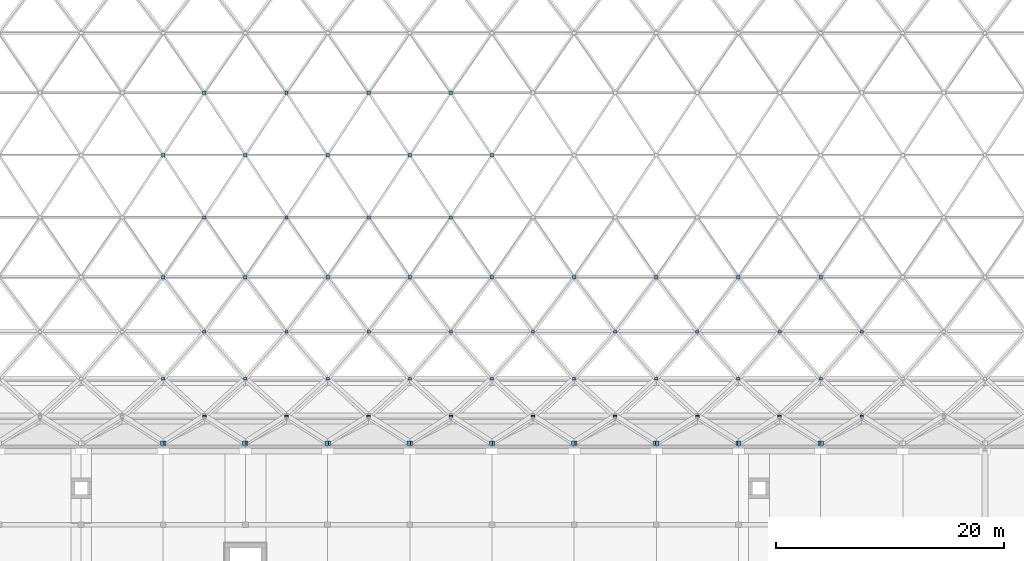
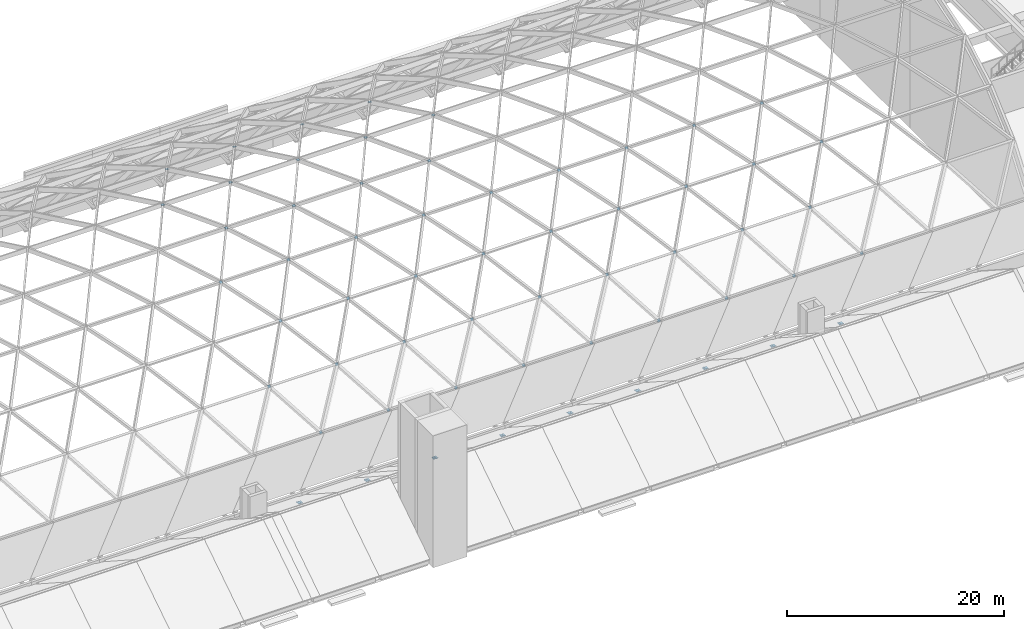
# One storey, part 43 of 52: 67 discrete accessories.
"""IFC4 building model written with IfcOpenShell, lengths in metres."""

from ifc_helpers import new_model, si_unit, direction, frame, origin, origin_2d, place, context, subcontext, project, spatial, rectangle, extrude, material, layer, layer_set, material_profile, profile_set, type_object, element, save


model = new_model("IFC4")

# Units and contexts
model_context = context("Model", 3, precision=1e-05, world=origin(), true_north=direction((0.0, 1.0)))
body_context = subcontext(model_context, "Body", "Model", "MODEL_VIEW")
ifc_project = project(units=[si_unit("LENGTHUNIT", "METRE"), si_unit("AREAUNIT", "SQUARE_METRE"), si_unit("VOLUMEUNIT", "CUBIC_METRE"), si_unit("PLANEANGLEUNIT", "RADIAN"), si_unit("MASSUNIT", "GRAM", prefix="KILO")], contexts=[model_context])

# Site, building, storey
site_placement = place(None, origin())
site = spatial("IfcSite", under=ifc_project, at=site_placement, CompositionType="ELEMENT")
building_placement = place(site_placement, origin())
building = spatial("IfcBuilding", under=site, at=building_placement, Name="Vermilion Court Aquatics Centre", CompositionType="ELEMENT")
storey_placement = place(building_placement, frame((0.0, 0.0, 12.0)))
storey = spatial("IfcBuildingStorey", under=building, at=storey_placement, Name="L02", CompositionType="ELEMENT", Elevation=12.0)

# Discrete accessories
ifc_material_1 = material(Name="Stainless steel 1.4547, 1.4529 or 1.4565", Category="steel")
ifc_material_profile = material_profile(ifc_material_1, rectangle(XDim=0.300048828125, YDim=0.300048828125, at=origin_2d()), Name="PL 12 x 300 x 300")
ifc_profile_set = profile_set([ifc_material_profile], Name="Stainless steel 1.4547, 1.4529 or 1.4565")
discrete_accessory_type_1 = type_object("IfcDiscreteAccessoryType", Name="Gridshell node plate", PredefinedType="BRACKET", material=ifc_profile_set)
for number, where, z_axis, x_axis, name in (
    (1, (68.39990234375, 16.715087890625, 5.23583984375), (0.0, -0.850265146688, 0.526354614616), (1.0, 0.0, 0.0), "Gridshell node plate NP1 01-08"),
    (2, (75.60009765625, 16.715087890625, 5.23583984375), (0.0, -0.850265146688, 0.526354614616), (1.0, 0.0, 0.0), "Gridshell node plate NP1 01-09"),
    (3, (82.800048828125, 16.715087890625, 5.23583984375), (0.0, -0.850265146688, 0.526354614616), (1.0, 0.0, 0.0), "Gridshell node plate NP1 01-10"),
    (4, (90.0, 16.715087890625, 5.23583984375), (0.0, -0.850265146688, 0.526354614616), (1.0, 0.0, 0.0), "Gridshell node plate NP1 01-11"),
    (5, (97.199951171875, 16.715087890625, 5.23583984375), (0.0, -0.850265146688, 0.526354614616), (1.0, 0.0, 0.0), "Gridshell node plate NP1 01-12"),
    (6, (104.39990234375, 16.715087890625, 5.23583984375), (0.0, -0.850265146688, 0.526354614616), (1.0, 0.0, 0.0), "Gridshell node plate NP1 01-13"),
    (7, (111.60009765625, 16.715087890625, 5.23583984375), (0.0, -0.850265146688, 0.526354614616), (1.0, 0.0, 0.0), "Gridshell node plate NP1 01-14"),
    (8, (118.800048828125, 16.715087890625, 5.23583984375), (0.0, -0.850265146688, 0.526354614616), (1.0, 0.0, 0.0), "Gridshell node plate NP1 01-15"),
    (9, (126.0, 16.715087890625, 5.23583984375), (0.0, -0.850265146688, 0.526354614616), (1.0, 0.0, 0.0), "Gridshell node plate NP1 01-16"),
    (10, (64.800048828125, 20.00439453125, 9.64794921875), (0.0, -0.737154140201, 0.675724628517), (1.0, 0.0, 0.0), "Gridshell node plate NP1 02-07"),
    (11, (72.0, 20.00439453125, 9.64794921875), (0.0, -0.737154140201, 0.675724628517), (1.0, 0.0, 0.0), "Gridshell node plate NP1 02-08"),
    (12, (79.199951171875, 20.00439453125, 9.64794921875), (0.0, -0.737154140201, 0.675724628517), (1.0, 0.0, 0.0), "Gridshell node plate NP1 02-09"),
    (13, (86.39990234375, 20.00439453125, 9.64794921875), (0.0, -0.737154140201, 0.675724628517), (1.0, 0.0, 0.0), "Gridshell node plate NP1 02-10"),
    (14, (93.60009765625, 20.00439453125, 9.64794921875), (0.0, -0.737154140201, 0.675724628517), (1.0, 0.0, 0.0), "Gridshell node plate NP1 02-11"),
    (15, (100.800048828125, 20.00439453125, 9.64794921875), (0.0, -0.737154140201, 0.675724628517), (1.0, 0.0, 0.0), "Gridshell node plate NP1 02-12"),
    (16, (108.0, 20.00439453125, 9.64794921875), (0.0, -0.737154140201, 0.675724628517), (1.0, 0.0, 0.0), "Gridshell node plate NP1 02-13"),
    (17, (115.199951171875, 20.00439453125, 9.64794921875), (0.0, -0.737154140201, 0.675724628517), (1.0, 0.0, 0.0), "Gridshell node plate NP1 02-14"),
    (18, (122.39990234375, 20.00439453125, 9.64794921875), (0.0, -0.737154140201, 0.675724628517), (1.0, 0.0, 0.0), "Gridshell node plate NP1 02-15"),
    (19, (68.39990234375, 24.12353515625, 13.2861328125), (0.0, -0.586967571461, 0.809610443394), (1.0, 0.0, 0.0), "Gridshell node plate NP1 03-08"),
    (20, (75.60009765625, 24.12353515625, 13.2861328125), (0.0, -0.586967571461, 0.809610443394), (1.0, 0.0, 0.0), "Gridshell node plate NP1 03-09"),
    (21, (82.800048828125, 24.12353515625, 13.2861328125), (0.0, -0.586967571461, 0.809610443394), (1.0, 0.0, 0.0), "Gridshell node plate NP1 03-10"),
    (22, (90.0, 24.12353515625, 13.2861328125), (0.0, -0.586967571461, 0.809610443394), (1.0, 0.0, 0.0), "Gridshell node plate NP1 03-11"),
    (23, (97.199951171875, 24.12353515625, 13.2861328125), (0.0, -0.586967571461, 0.809610443394), (1.0, 0.0, 0.0), "Gridshell node plate NP1 03-12"),
    (24, (104.39990234375, 24.12353515625, 13.2861328125), (0.0, -0.586967571461, 0.809610443394), (1.0, 0.0, 0.0), "Gridshell node plate NP1 03-13"),
    (25, (111.60009765625, 24.12353515625, 13.2861328125), (0.0, -0.586967571461, 0.809610443394), (1.0, 0.0, 0.0), "Gridshell node plate NP1 03-14"),
    (26, (118.800048828125, 24.12353515625, 13.2861328125), (0.0, -0.586967571461, 0.809610443394), (1.0, 0.0, 0.0), "Gridshell node plate NP1 03-15"),
    (27, (126.0, 24.12353515625, 13.2861328125), (0.0, -0.586967571461, 0.809610443394), (1.0, 0.0, 0.0), "Gridshell node plate NP1 03-16"),
    (28, (64.800048828125, 28.90234375, 16.00146484375), (0.0, -0.38897203704, 0.921249561411), (1.0, 0.0, 0.0), "Gridshell node plate NP1 04-07"),
    (29, (72.0, 28.90234375, 16.00146484375), (0.0, -0.38897203704, 0.921249561411), (1.0, 0.0, 0.0), "Gridshell node plate NP1 04-08"),
    (30, (79.199951171875, 28.90234375, 16.00146484375), (0.0, -0.38897203704, 0.921249561411), (1.0, 0.0, 0.0), "Gridshell node plate NP1 04-09"),
    (31, (86.39990234375, 28.90234375, 16.00146484375), (0.0, -0.38897203704, 0.921249561411), (1.0, 0.0, 0.0), "Gridshell node plate NP1 04-10"),
    (32, (93.60009765625, 28.90234375, 16.00146484375), (0.0, -0.38897203704, 0.921249561411), (1.0, 0.0, 0.0), "Gridshell node plate NP1 04-11"),
    (33, (100.800048828125, 28.90234375, 16.00146484375), (0.0, -0.38897203704, 0.921249561411), (1.0, 0.0, 0.0), "Gridshell node plate NP1 04-12"),
    (34, (108.0, 28.90234375, 16.00146484375), (0.0, -0.38897203704, 0.921249561411), (1.0, 0.0, 0.0), "Gridshell node plate NP1 04-13"),
    (35, (115.199951171875, 28.90234375, 16.00146484375), (0.0, -0.38897203704, 0.921249561411), (1.0, 0.0, 0.0), "Gridshell node plate NP1 04-14"),
    (36, (122.39990234375, 28.90234375, 16.00146484375), (0.0, -0.38897203704, 0.921249561411), (1.0, 0.0, 0.0), "Gridshell node plate NP1 04-15"),
):
    element("IfcDiscreteAccessory", number, at=place(storey_placement, frame(where, z_axis=z_axis, x_axis=x_axis)), inside=storey, type_object=discrete_accessory_type_1, Name=name, PredefinedType="BRACKET", context=body_context, shape_type="SweptSolid", body=[
        extrude(rectangle(XDim=0.300048828125, YDim=0.300048828125, at=origin_2d()), origin(), (0.0, 0.0, 1.0), 0.011962890625),
    ])
for number, where, z_axis, x_axis, name in (
    (37, (68.39990234375, 34.13134765625, 17.676025390625), (0.0, -0.219038342307, 0.975716252094), (1.0, 0.0, 0.0), "Gridshell node plate NP1 05-08"),
    (38, (75.60009765625, 34.13134765625, 17.676025390625), (0.0, -0.219038342307, 0.975716252094), (1.0, 0.0, 0.0), "Gridshell node plate NP1 05-09"),
    (39, (82.800048828125, 34.13134765625, 17.676025390625), (0.0, -0.219038342307, 0.975716252094), (1.0, 0.0, 0.0), "Gridshell node plate NP1 05-10"),
    (40, (90.0, 34.13134765625, 17.676025390625), (0.0, -0.219038342307, 0.975716252094), (1.0, 0.0, 0.0), "Gridshell node plate NP1 05-11"),
    (41, (64.800048828125, 39.60009765625, 18.243896484375), (0.0, 0.0, 1.0), (1.0, 0.0, 0.0), "Gridshell node plate NP1 06-07"),
    (42, (72.0, 39.60009765625, 18.243896484375), (0.0, 0.0, 1.0), (1.0, 0.0, 0.0), "Gridshell node plate NP1 06-08"),
    (43, (79.199951171875, 39.60009765625, 18.243896484375), (0.0, 0.0, 1.0), (1.0, 0.0, 0.0), "Gridshell node plate NP1 06-09"),
    (44, (86.39990234375, 39.60009765625, 18.243896484375), (0.0, 0.0, 1.0), (1.0, 0.0, 0.0), "Gridshell node plate NP1 06-10"),
    (45, (93.60009765625, 39.60009765625, 18.243896484375), (0.0, 0.0, 1.0), (1.0, 0.0, 0.0), "Gridshell node plate NP1 06-11"),
    (46, (68.39990234375, 45.06884765625, 17.676025390625), (0.0, 0.199960011996, 0.97980405878), (-1.0, 0.0, 0.0), "Gridshell node plate NP1 07-08"),
    (47, (75.60009765625, 45.06884765625, 17.676025390625), (0.0, 0.199960011996, 0.97980405878), (-1.0, 0.0, 0.0), "Gridshell node plate NP1 07-09"),
    (48, (82.800048828125, 45.06884765625, 17.676025390625), (0.0, 0.199960011996, 0.97980405878), (-1.0, 0.0, 0.0), "Gridshell node plate NP1 07-10"),
    (49, (90.0, 45.06884765625, 17.676025390625), (0.0, 0.199960011996, 0.97980405878), (-1.0, 0.0, 0.0), "Gridshell node plate NP1 07-11"),
):
    element("IfcDiscreteAccessory", number, at=place(storey_placement, frame(where, z_axis=z_axis, x_axis=x_axis)), inside=storey, type_object=discrete_accessory_type_1, Name=name, PredefinedType="BRACKET", context=body_context, shape_type="SweptSolid", body=[
        extrude(rectangle(XDim=0.300048828125, YDim=0.300048828125, at=origin_2d()), origin(), (0.0, 0.0, 1.0), 0.01220703125),
    ])
ifc_material_2 = material(Name="Stainless steel 1.4547, 1.4529 or 1.4565", Category="steel")
ifc_layer = layer(ifc_material_2, 0.02490234375)
ifc_layer_set = layer_set([ifc_layer], Name="Gridshell springing seat plate")
discrete_accessory_type_2 = type_object("IfcDiscreteAccessoryType", Name="Gridshell springing seat plate", PredefinedType="SHOE", material=ifc_layer_set)
for number, where, z_axis, x_axis, name in (
    (50, (64.715576171875, 14.345703125, 0.025146484375), (0.0, 0.0, 1.0), (1.0, 0.0, 0.0), "Gridshell springing seat plate NP2 S14"),
    (51, (64.884521484375, 14.345703125, 0.025146484375), (0.0, 0.0, 1.0), (1.0, 0.0, 0.0), "Gridshell springing seat plate NP2 S15"),
    (52, (71.91552734375, 14.345703125, 0.025146484375), (0.0, 0.0, 1.0), (1.0, 0.0, 0.0), "Gridshell springing seat plate NP2 S16"),
    (53, (72.08447265625, 14.345703125, 0.025146484375), (0.0, 0.0, 1.0), (1.0, 0.0, 0.0), "Gridshell springing seat plate NP2 S17"),
    (54, (79.115478515625, 14.345703125, 0.025146484375), (0.0, 0.0, 1.0), (1.0, 0.0, 0.0), "Gridshell springing seat plate NP2 S18"),
    (55, (79.284423828125, 14.345703125, 0.025146484375), (0.0, 0.0, 1.0), (1.0, 0.0, 0.0), "Gridshell springing seat plate NP2 S19"),
    (56, (86.3154296875, 14.345703125, 0.025146484375), (0.0, 0.0, 1.0), (1.0, 0.0, 0.0), "Gridshell springing seat plate NP2 S20"),
    (57, (86.484619140625, 14.345703125, 0.025146484375), (0.0, 0.0, 1.0), (1.0, 0.0, 0.0), "Gridshell springing seat plate NP2 S21"),
    (58, (93.515380859375, 14.345703125, 0.025146484375), (0.0, 0.0, 1.0), (1.0, 0.0, 0.0), "Gridshell springing seat plate NP2 S22"),
    (59, (93.6845703125, 14.345703125, 0.025146484375), (0.0, 0.0, 1.0), (1.0, 0.0, 0.0), "Gridshell springing seat plate NP2 S23"),
    (60, (100.715576171875, 14.345703125, 0.025146484375), (0.0, 0.0, 1.0), (1.0, 0.0, 0.0), "Gridshell springing seat plate NP2 S24"),
    (61, (100.884521484375, 14.345703125, 0.025146484375), (0.0, 0.0, 1.0), (1.0, 0.0, 0.0), "Gridshell springing seat plate NP2 S25"),
    (62, (107.91552734375, 14.345703125, 0.025146484375), (0.0, 0.0, 1.0), (1.0, 0.0, 0.0), "Gridshell springing seat plate NP2 S26"),
    (63, (108.08447265625, 14.345703125, 0.025146484375), (0.0, 0.0, 1.0), (1.0, 0.0, 0.0), "Gridshell springing seat plate NP2 S27"),
    (64, (115.115478515625, 14.345703125, 0.025146484375), (0.0, 0.0, 1.0), (1.0, 0.0, 0.0), "Gridshell springing seat plate NP2 S28"),
    (65, (115.284423828125, 14.345703125, 0.025146484375), (0.0, 0.0, 1.0), (1.0, 0.0, 0.0), "Gridshell springing seat plate NP2 S29"),
    (66, (122.3154296875, 14.345703125, 0.025146484375), (0.0, 0.0, 1.0), (1.0, 0.0, 0.0), "Gridshell springing seat plate NP2 S30"),
    (67, (122.484619140625, 14.345703125, 0.025146484375), (0.0, 0.0, 1.0), (1.0, 0.0, 0.0), "Gridshell springing seat plate NP2 S31"),
):
    element("IfcDiscreteAccessory", number, at=place(storey_placement, frame(where, z_axis=z_axis, x_axis=x_axis)), inside=storey, type_object=discrete_accessory_type_2, Name=name, PredefinedType="SHOE", context=body_context, shape_type="SweptSolid", body=[
        extrude(rectangle(XDim=0.300048828125, YDim=0.39990234375, at=origin_2d()), origin(), (0.0, 0.0, 1.0), 0.02490234375),
    ])

save(model, "model.ifc")
